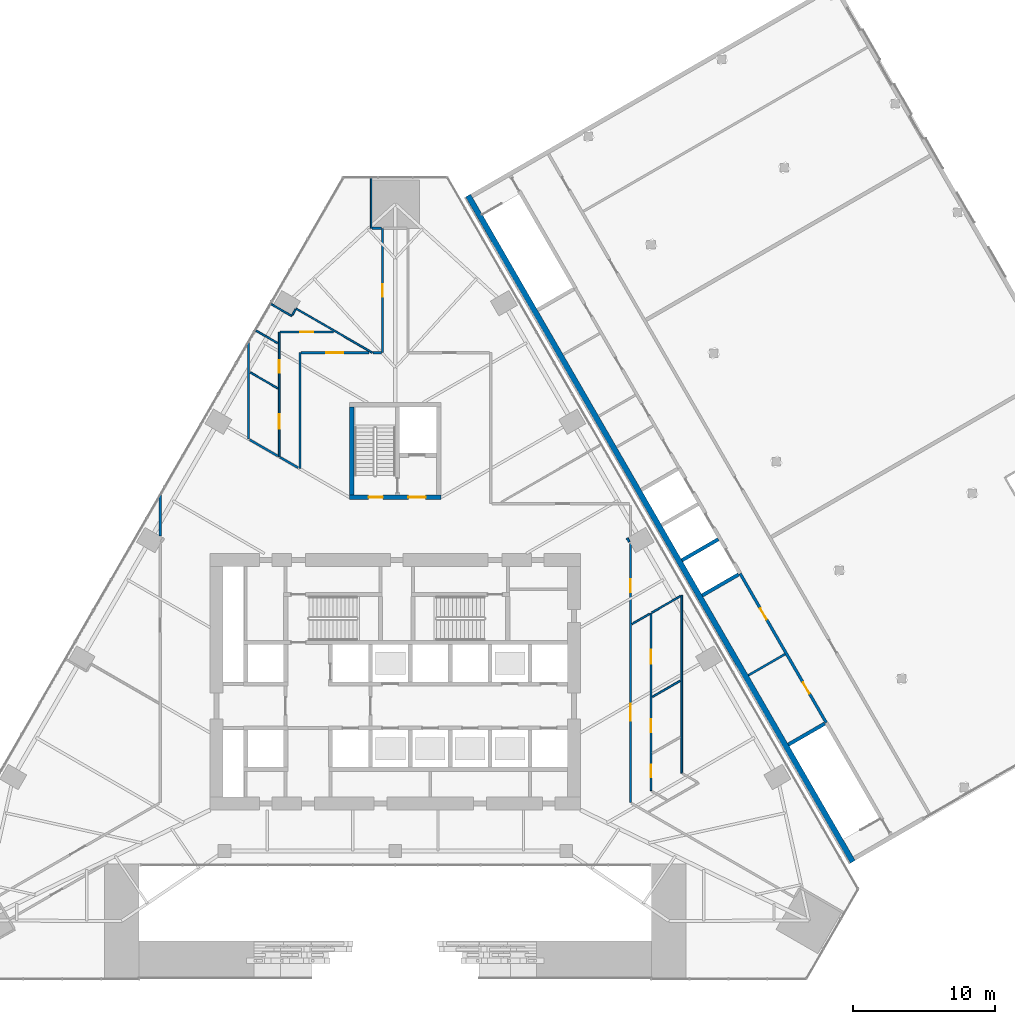
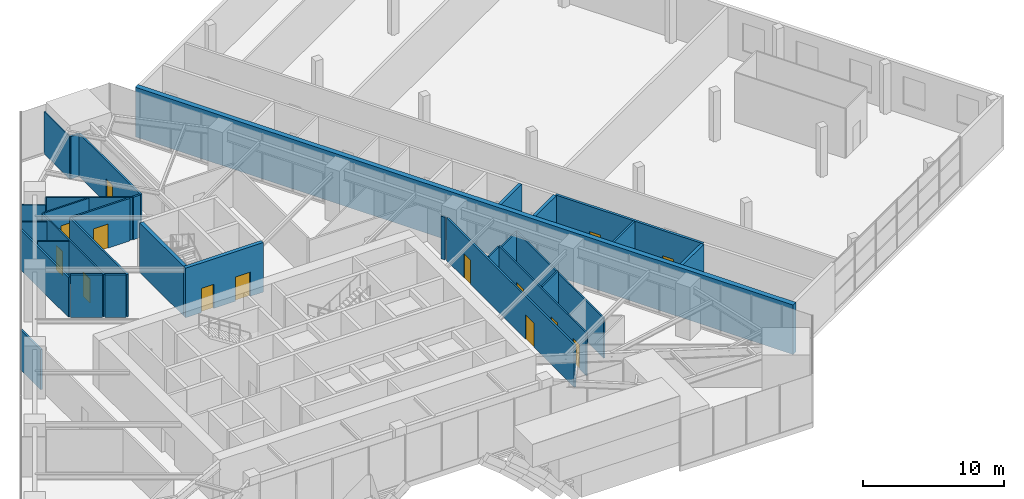
# One storey, part 18 of 23: 32 walls, 14 doors, 14 openings.
"""IFC4 building model written with IfcOpenShell, lengths in metres."""

from ifc_helpers import new_model, si_unit, direction, frame, frame_2d, origin, place, context, subcontext, project, spatial, rectangle, extrude, material, layer, layer_set, type_object, element, fill, save


model = new_model("IFC4")

# Units and contexts
model_context = context("Model", 3, precision=1e-05, world=origin(), true_north=direction((0.0, 1.0)))
body_context = subcontext(model_context, "Body", "Model", "MODEL_VIEW")
ifc_project = project(units=[si_unit("LENGTHUNIT", "METRE"), si_unit("AREAUNIT", "SQUARE_METRE"), si_unit("VOLUMEUNIT", "CUBIC_METRE"), si_unit("PLANEANGLEUNIT", "RADIAN"), si_unit("MASSUNIT", "GRAM", prefix="KILO")], contexts=[model_context])

# Site, building, storey
site_placement = place(None, origin())
site = spatial("IfcSite", under=ifc_project, at=site_placement, CompositionType="ELEMENT")
building_placement = place(site_placement, origin())
building = spatial("IfcBuilding", under=site, at=building_placement, Name="Firuza Gate Tower and Library", CompositionType="ELEMENT")
storey_placement = place(building_placement, frame((0.0, 0.0, 21.800048828125)))
storey = spatial("IfcBuildingStorey", under=building, at=storey_placement, Name="L04", CompositionType="ELEMENT", Elevation=21.800048828125)

# Wall, openings, doors
ifc_material_1 = material(Name="Concrete C80/95", Category="concrete")
ifc_layer_1 = layer(ifc_material_1, 0.300048828125)
ifc_layer_set_1 = layer_set([ifc_layer_1], Name="Core wall 300 C80/95")
wall_type_1 = type_object("IfcWallType", Name="Core wall 300 C80/95", PredefinedType="SHEAR", material=ifc_layer_set_1)
wall_1_placement = place(storey_placement, frame((71.800048828125, 87.949951171875, 0.0), z_axis=(0.0, 0.0, 1.0), x_axis=(1.0, 0.0, 0.0)))
wall_1 = element("IfcWall", 1, at=wall_1_placement, inside=storey, type_object=wall_type_1, Name="Core wall L04 34", PredefinedType="SHEAR", context=body_context, shape_type="SweptSolid", body=[
    extrude(rectangle(XDim=6.39990234375, YDim=0.300048828125, at=frame_2d((3.199951171875, 0.0))), origin(), (0.0, 0.0, 1.0), 4.300048828125),
])
opening_1_placement = place(wall_1_placement, frame((1.324951171875, 0.0, 0.0)))
opening_1 = element("IfcOpeningElement", 2, at=opening_1_placement, cuts=wall_1, Name="Opening L04-K17", PredefinedType="OPENING", context=body_context, shape_type="SweptSolid", body=[
    extrude(rectangle(XDim=1.0, YDim=2.10009765625, at=frame_2d((0.5, 1.050048828125))), frame((0.0, 0.16015625, 0.0), z_axis=(0.0, -1.0, 0.0), x_axis=(1.0, 0.0, 0.0)), (0.0, 0.0, 1.0), 0.320068359375),
])
opening_2_placement = place(wall_1_placement, frame((4.125, 0.0, 0.0)))
opening_2 = element("IfcOpeningElement", 3, at=opening_2_placement, cuts=wall_1, Name="Opening L04-K19", PredefinedType="OPENING", context=body_context, shape_type="SweptSolid", body=[
    extrude(rectangle(XDim=1.199951171875, YDim=2.10009765625, at=frame_2d((0.60009765625, 1.050048828125))), frame((0.0, 0.16015625, 0.0), z_axis=(0.0, -1.0, 0.0), x_axis=(1.0, 0.0, 0.0)), (0.0, 0.0, 1.0), 0.320068359375),
])
ifc_material_2 = material(Name="Steel", Category="steel")
door_type_1 = type_object("IfcDoorType", Name="Fire door 1000x2100 FD90", OperationType="NOTDEFINED", PredefinedType="DOOR", material=ifc_material_2)
door_1_placement = place(opening_1_placement, origin())
door_1 = element("IfcDoor", 4, at=door_1_placement, inside=storey, type_object=door_type_1, Name="Door L04-K17", OperationType="SINGLE_SWING_RIGHT", OverallHeight=2.10009765625, OverallWidth=1.0, PredefinedType="DOOR", context=body_context, shape_type="SweptSolid", body=[
    extrude(rectangle(XDim=1.0, YDim=2.10009765625, at=frame_2d((0.5, 1.050048828125))), frame((0.0, 0.02490234375, 0.0), z_axis=(0.0, -1.0, 0.0), x_axis=(1.0, 0.0, 0.0)), (0.0, 0.0, 1.0), 0.050048828125),
])
fill(opening_1, door_1)
ifc_material_3 = material(Name="Steel", Category="steel")
door_type_2 = type_object("IfcDoorType", Name="Fire door 1200x2100 FD30S", OperationType="NOTDEFINED", PredefinedType="DOOR", material=ifc_material_3)
door_2_placement = place(opening_2_placement, origin())
door_2 = element("IfcDoor", 5, at=door_2_placement, inside=storey, type_object=door_type_2, Name="Door L04-K19", OperationType="SINGLE_SWING_RIGHT", OverallHeight=2.10009765625, OverallWidth=1.199951171875, PredefinedType="DOOR", context=body_context, shape_type="SweptSolid", body=[
    extrude(rectangle(XDim=1.199951171875, YDim=2.10009765625, at=frame_2d((0.60009765625, 1.050048828125))), frame((0.0, 0.02490234375, 0.0), z_axis=(0.0, -1.0, 0.0), x_axis=(1.0, 0.0, 0.0)), (0.0, 0.0, 1.0), 0.050048828125),
])
fill(opening_2, door_2)

# Wall
wall_2_placement = place(storey_placement, frame((71.949951171875, 88.10009765625, 0.0), z_axis=(0.0, 0.0, 1.0), x_axis=(0.0, 1.0, 0.0)))
element("IfcWall", 6, at=wall_2_placement, inside=storey, type_object=wall_type_1, Name="Core wall L04 36", PredefinedType="SHEAR", context=body_context, shape_type="SweptSolid", body=[
    extrude(rectangle(XDim=6.199951171875, YDim=0.300048828125, at=frame_2d((3.10009765625, 0.0))), origin(), (0.0, 0.0, 1.0), 4.300048828125),
])

# Wall, opening, door
ifc_material_4 = material(Name="Gypsum board partition")
ifc_layer_2 = layer(ifc_material_4, 0.14990234375)
ifc_layer_set_2 = layer_set([ifc_layer_2], Name="Corridor wall 150 double board on steel studs")
wall_type_2 = type_object("IfcWallType", Name="Corridor wall 150 double board on steel studs", PredefinedType="PARTITIONING", material=ifc_layer_set_2)
wall_3_placement = place(storey_placement, frame((73.139892578125, 98.10009765625, 0.0), z_axis=(0.0, 0.0, 1.0), x_axis=(-1.0, 0.0, 0.0)))
wall_3 = element("IfcWall", 7, at=wall_3_placement, inside=storey, type_object=wall_type_2, Name="f:L04:w001", PredefinedType="PARTITIONING", context=body_context, shape_type="SweptSolid", body=[
    extrude(rectangle(XDim=4.764892578125, YDim=0.14990234375, at=frame_2d((2.38232421875, 0.0))), origin(), (0.0, 0.0, 1.0), 3.699951171875),
])
opening_3_placement = place(wall_3_placement, frame((1.782470703125, 0.0, 0.0)))
opening_3 = element("IfcOpeningElement", 8, at=opening_3_placement, cuts=wall_3, Name="Opening L04-02", PredefinedType="OPENING", context=body_context, shape_type="SweptSolid", body=[
    extrude(rectangle(XDim=1.199951171875, YDim=2.10009765625, at=frame_2d((0.60009765625, 1.050048828125))), frame((0.0, 0.0849609375, 0.0), z_axis=(0.0, -1.0, 0.0), x_axis=(1.0, 0.0, 0.0)), (0.0, 0.0, 1.0), 0.169921875),
])
ifc_material_5 = material(Name="Steel door and timber leaf", Category="steel")
door_type_3 = type_object("IfcDoorType", Name="Fire door 1200 x 2100 steel frame, double leaf", OperationType="NOTDEFINED", PredefinedType="DOOR", material=ifc_material_5)
door_3_placement = place(opening_3_placement, origin())
door_3 = element("IfcDoor", 9, at=door_3_placement, inside=storey, type_object=door_type_3, Name="f:L04:d002", OperationType="DOUBLE_DOOR_SINGLE_SWING", OverallHeight=2.10009765625, OverallWidth=1.199951171875, PredefinedType="DOOR", context=body_context, shape_type="SweptSolid", body=[
    extrude(rectangle(XDim=1.199951171875, YDim=2.10009765625, at=frame_2d((0.60009765625, 1.050048828125))), frame((0.0, 0.02490234375, 0.0), z_axis=(0.0, -1.0, 0.0), x_axis=(1.0, 0.0, 0.0)), (0.0, 0.0, 1.0), 0.050048828125),
])
fill(opening_3, door_3)

# Wall
wall_4_placement = place(storey_placement, frame((73.3505859375, 106.833984375, 0.0), z_axis=(0.0, 0.0, 1.0), x_axis=(1.0, 0.0, 0.0)))
element("IfcWall", 10, at=wall_4_placement, inside=storey, type_object=wall_type_2, Name="f:L04:w004", PredefinedType="PARTITIONING", context=body_context, shape_type="SweptSolid", body=[
    extrude(rectangle(XDim=0.67431640625, YDim=0.14990234375, at=frame_2d((0.337158203125, 0.0))), origin(), (0.0, 0.0, 1.0), 3.699951171875),
])

# Wall, openings, doors
wall_5_placement = place(storey_placement, frame((91.499755859375, 84.6904296875, 0.0), z_axis=(0.0, 0.0, 1.0), x_axis=(0.0, -1.0, 0.0)))
wall_5 = element("IfcWall", 11, at=wall_5_placement, inside=storey, type_object=wall_type_2, Name="f:L04:w019", PredefinedType="PARTITIONING", context=body_context, shape_type="SweptSolid", body=[
    extrude(rectangle(XDim=18.177490234375, YDim=0.14990234375, at=frame_2d((9.0888671875, 0.0))), origin(), (0.0, 0.0, 1.0), 3.699951171875),
])
opening_4_placement = place(wall_5_placement, frame((2.505126953125, 0.0, 0.0)))
opening_4 = element("IfcOpeningElement", 12, at=opening_4_placement, cuts=wall_5, Name="Opening L04-10", PredefinedType="OPENING", context=body_context, shape_type="SweptSolid", body=[
    extrude(rectangle(XDim=0.89990234375, YDim=2.10009765625, at=frame_2d((0.449951171875, 1.050048828125))), frame((0.0, 0.0849609375, 0.0), z_axis=(0.0, -1.0, 0.0), x_axis=(1.0, 0.0, 0.0)), (0.0, 0.0, 1.0), 0.169921875),
])
opening_5_placement = place(wall_5_placement, frame((11.240234375, 0.0, 0.0)))
opening_5 = element("IfcOpeningElement", 13, at=opening_5_placement, cuts=wall_5, Name="Opening L04-11", PredefinedType="OPENING", context=body_context, shape_type="SweptSolid", body=[
    extrude(rectangle(XDim=1.199951171875, YDim=2.10009765625, at=frame_2d((0.60009765625, 1.050048828125))), frame((0.0, 0.0849609375, 0.0), z_axis=(0.0, -1.0, 0.0), x_axis=(1.0, 0.0, 0.0)), (0.0, 0.0, 1.0), 0.169921875),
])
door_4_placement = place(opening_5_placement, origin())
door_4 = element("IfcDoor", 14, at=door_4_placement, inside=storey, type_object=door_type_3, Name="f:L04:d011", OperationType="DOUBLE_DOOR_SINGLE_SWING", OverallHeight=2.10009765625, OverallWidth=1.199951171875, PredefinedType="DOOR", context=body_context, shape_type="SweptSolid", body=[
    extrude(rectangle(XDim=1.199951171875, YDim=2.10009765625, at=frame_2d((0.60009765625, 1.050048828125))), frame((0.0, 0.02490234375, 0.0), z_axis=(0.0, -1.0, 0.0), x_axis=(1.0, 0.0, 0.0)), (0.0, 0.0, 1.0), 0.050048828125),
])
fill(opening_5, door_4)
ifc_material_6 = material(Name="Steel door and timber leaf", Category="steel")
door_type_4 = type_object("IfcDoorType", Name="Fire door 900 x 2100 steel frame, timber leaf", OperationType="NOTDEFINED", PredefinedType="DOOR", material=ifc_material_6)
door_5_placement = place(opening_4_placement, origin())
door_5 = element("IfcDoor", 15, at=door_5_placement, inside=storey, type_object=door_type_4, Name="f:L04:d010", OperationType="SINGLE_SWING_LEFT", OverallHeight=2.10009765625, OverallWidth=0.89990234375, PredefinedType="DOOR", context=body_context, shape_type="SweptSolid", body=[
    extrude(rectangle(XDim=0.89990234375, YDim=2.10009765625, at=frame_2d((0.449951171875, 1.050048828125))), frame((0.0, 0.02490234375, 0.0), z_axis=(0.0, -1.0, 0.0), x_axis=(1.0, 0.0, 0.0)), (0.0, 0.0, 1.0), 0.050048828125),
])
fill(opening_4, door_5)

# Wall, opening, door
wall_6_placement = place(storey_placement, frame((74.10009765625, 98.10009765625, 0.0), z_axis=(0.0, 0.0, 1.0), x_axis=(0.0, 1.0, 0.0)))
wall_6 = element("IfcWall", 16, at=wall_6_placement, inside=storey, type_object=wall_type_2, Name="f:L04:w023", PredefinedType="PARTITIONING", context=body_context, shape_type="SweptSolid", body=[
    extrude(rectangle(XDim=8.733642578125, YDim=0.14990234375, at=frame_2d((4.36669921875, 0.0))), origin(), (0.0, 0.0, 1.0), 3.699951171875),
])
opening_6_placement = place(wall_6_placement, frame((3.9169921875, 0.0, 0.0)))
opening_6 = element("IfcOpeningElement", 17, at=opening_6_placement, cuts=wall_6, Name="Opening L04-12", PredefinedType="OPENING", context=body_context, shape_type="SweptSolid", body=[
    extrude(rectangle(XDim=0.89990234375, YDim=2.10009765625, at=frame_2d((0.449951171875, 1.050048828125))), frame((0.0, 0.0849609375, 0.0), z_axis=(0.0, -1.0, 0.0), x_axis=(1.0, 0.0, 0.0)), (0.0, 0.0, 1.0), 0.169921875),
])
door_6_placement = place(opening_6_placement, origin())
door_6 = element("IfcDoor", 18, at=door_6_placement, inside=storey, type_object=door_type_4, Name="f:L04:d012", OperationType="SINGLE_SWING_LEFT", OverallHeight=2.10009765625, OverallWidth=0.89990234375, PredefinedType="DOOR", context=body_context, shape_type="SweptSolid", body=[
    extrude(rectangle(XDim=0.89990234375, YDim=2.10009765625, at=frame_2d((0.449951171875, 1.050048828125))), frame((0.0, 0.02490234375, 0.0), z_axis=(0.0, -1.0, 0.0), x_axis=(1.0, 0.0, 0.0)), (0.0, 0.0, 1.0), 0.050048828125),
])
fill(opening_6, door_6)

# Walls
wall_7_placement = place(storey_placement, frame((68.300048828125, 89.953369140625, 0.0), z_axis=(0.0, 0.0, 1.0), x_axis=(0.0, 1.0, 0.0)))
element("IfcWall", 19, at=wall_7_placement, inside=storey, type_object=wall_type_2, Name="f:L04:w025", PredefinedType="PARTITIONING", context=body_context, shape_type="SweptSolid", body=[
    extrude(rectangle(XDim=8.146728515625, YDim=0.14990234375, at=frame_2d((4.0732421875, 0.0))), origin(), (0.0, 0.0, 1.0), 3.699951171875),
])
wall_8_placement = place(storey_placement, frame((64.699951171875, 92.03173828125, 0.0), z_axis=(0.0, 0.0, 1.0), x_axis=(0.0, 1.0, 0.0)))
element("IfcWall", 20, at=wall_8_placement, inside=storey, type_object=wall_type_2, Name="f:L04:w027", PredefinedType="PARTITIONING", context=body_context, shape_type="SweptSolid", body=[
    extrude(rectangle(XDim=6.8173828125, YDim=0.14990234375, at=frame_2d((3.40869140625, 0.0))), origin(), (0.0, 0.0, 1.0), 3.46484375),
])
wall_9_placement = place(storey_placement, frame((58.5, 85.219482421875, 0.0), z_axis=(0.0, 0.0, 1.0), x_axis=(0.0, 1.0, 0.0)))
element("IfcWall", 21, at=wall_9_placement, inside=storey, type_object=wall_type_2, Name="f:L04:w029", PredefinedType="PARTITIONING", context=body_context, shape_type="SweptSolid", body=[
    extrude(rectangle(XDim=2.890869140625, YDim=0.14990234375, at=frame_2d((1.4453125, 0.0))), origin(), (0.0, 0.0, 1.0), 3.46484375),
])
wall_10_placement = place(storey_placement, frame((91.425048828125, 84.8212890625, 0.0), z_axis=(0.0, 0.0, 1.0), x_axis=(-0.500251054866, 0.865880408662, 0.0)))
element("IfcWall", 22, at=wall_10_placement, inside=storey, type_object=wall_type_2, Name="f:L04:w030", PredefinedType="PARTITIONING", context=body_context, shape_type="SweptSolid", body=[
    extrude(rectangle(XDim=0.306396484375, YDim=0.14990234375, at=frame_2d((0.1533203125, 0.0))), origin(), (0.0, 0.0, 1.0), 3.699951171875),
])
wall_11_placement = place(storey_placement, frame((68.181640625, 90.021728515625, 0.0), z_axis=(0.0, 0.0, 1.0), x_axis=(-0.865999496279, 0.500044870432, 0.0)))
element("IfcWall", 23, at=wall_11_placement, inside=storey, type_object=wall_type_2, Name="f:L04:w036", PredefinedType="PARTITIONING", context=body_context, shape_type="SweptSolid", body=[
    extrude(rectangle(XDim=1.485595703125, YDim=0.14990234375, at=frame_2d((0.74267578125, 0.0))), origin(), (0.0, 0.0, 1.0), 3.699951171875),
])
wall_12_placement = place(storey_placement, frame((73.419677734375, 98.10009765625, 0.0), z_axis=(0.0, 0.0, 1.0), x_axis=(1.0, 0.0, 0.0)))
element("IfcWall", 24, at=wall_12_placement, inside=storey, type_object=wall_type_2, Name="f:L04:w043", PredefinedType="PARTITIONING", context=body_context, shape_type="SweptSolid", body=[
    extrude(rectangle(XDim=0.605224609375, YDim=0.14990234375, at=frame_2d((0.302734375, 0.0))), origin(), (0.0, 0.0, 1.0), 3.699951171875),
])
wall_13_placement = place(storey_placement, frame((66.75244140625, 90.846923828125, 0.0), z_axis=(0.0, 0.0, 1.0), x_axis=(-0.866023543838, 0.500003221507, 0.0)))
element("IfcWall", 25, at=wall_13_placement, inside=storey, type_object=wall_type_2, Name="f:L04:w047", PredefinedType="PARTITIONING", context=body_context, shape_type="SweptSolid", body=[
    extrude(rectangle(XDim=2.283203125, YDim=0.14990234375, at=frame_2d((1.1416015625, 0.0))), origin(), (0.0, 0.0, 1.0), 3.699951171875),
])

# Wall, openings, doors
ifc_material_7 = material(Name="Masonry block", Category="masonry")
ifc_layer_3 = layer(ifc_material_7, 0.199951171875)
ifc_layer_set_3 = layer_set([ifc_layer_3], Name="LIB CORRIDOR WALL 200")
wall_type_3 = type_object("IfcWallType", Name="LIB CORRIDOR WALL 200", PredefinedType="PARTITIONING", material=ifc_layer_set_3)
wall_14_placement = place(storey_placement, frame((105.25, 72.124755859375, 0.0), z_axis=(0.0, 0.0, 1.0), x_axis=(-0.499996309931, 0.866027534236, 0.0)))
wall_14 = element("IfcWall", 26, at=wall_14_placement, inside=storey, type_object=wall_type_3, Name="L04 corr wall 6", PredefinedType="PARTITIONING", context=body_context, shape_type="SweptSolid", body=[
    extrude(rectangle(XDim=12.08984375, YDim=0.199951171875, at=frame_2d((6.044921875, 0.0))), origin(), (0.0, 0.0, 1.0), 4.300048828125),
])
opening_7_placement = place(wall_14_placement, frame((2.364990234375, 0.0, 0.0)))
opening_7 = element("IfcOpeningElement", 27, at=opening_7_placement, cuts=wall_14, Name="Opening LIB-D1-001", PredefinedType="OPENING", context=body_context, shape_type="SweptSolid", body=[
    extrude(rectangle(XDim=0.89990234375, YDim=2.10009765625, at=frame_2d((0.449951171875, 1.050048828125))), frame((0.0, 0.10986328125, 0.0), z_axis=(0.0, -1.0, 0.0), x_axis=(1.0, 0.0, 0.0)), (0.0, 0.0, 1.0), 0.219970703125),
])
opening_8_placement = place(wall_14_placement, frame((8.364990234375, 0.0, 0.0)))
opening_8 = element("IfcOpeningElement", 28, at=opening_8_placement, cuts=wall_14, Name="Opening LIB-D1-002", PredefinedType="OPENING", context=body_context, shape_type="SweptSolid", body=[
    extrude(rectangle(XDim=0.89990234375, YDim=2.10009765625, at=frame_2d((0.449951171875, 1.050048828125))), frame((0.0, 0.10986328125, 0.0), z_axis=(0.0, -1.0, 0.0), x_axis=(1.0, 0.0, 0.0)), (0.0, 0.0, 1.0), 0.219970703125),
])
ifc_material_8 = material(Name="Timber door leaf", Category="wood")
door_type_5 = type_object("IfcDoorType", Name="LIB DOOR 900", OperationType="NOTDEFINED", PredefinedType="DOOR", material=ifc_material_8)
door_7_placement = place(opening_7_placement, origin())
door_7 = element("IfcDoor", 29, at=door_7_placement, inside=storey, type_object=door_type_5, Name="L04 door 3", OperationType="SINGLE_SWING_LEFT", OverallHeight=2.10009765625, OverallWidth=0.89990234375, PredefinedType="DOOR", context=body_context, shape_type="SweptSolid", body=[
    extrude(rectangle(XDim=0.89990234375, YDim=2.10009765625, at=frame_2d((0.449951171875, 1.050048828125))), frame((0.0, 0.02490234375, 0.0), z_axis=(0.0, -1.0, 0.0), x_axis=(1.0, 0.0, 0.0)), (0.0, 0.0, 1.0), 0.050048828125),
])
fill(opening_7, door_7)
door_8_placement = place(opening_8_placement, origin())
door_8 = element("IfcDoor", 30, at=door_8_placement, inside=storey, type_object=door_type_5, Name="L04 door 4", OperationType="SINGLE_SWING_RIGHT", OverallHeight=2.10009765625, OverallWidth=0.89990234375, PredefinedType="DOOR", context=body_context, shape_type="SweptSolid", body=[
    extrude(rectangle(XDim=0.89990234375, YDim=2.10009765625, at=frame_2d((0.449951171875, 1.050048828125))), frame((0.0, 0.02490234375, 0.0), z_axis=(0.0, -1.0, 0.0), x_axis=(1.0, 0.0, 0.0)), (0.0, 0.0, 1.0), 0.050048828125),
])
fill(opening_8, door_8)

# Walls
ifc_material_9 = material(Name="Gypsum board on steel studs", Category="steel")
ifc_layer_4 = layer(ifc_material_9, 0.14990234375)
ifc_layer_set_4 = layer_set([ifc_layer_4], Name="LIB PARTITION 150")
wall_type_4 = type_object("IfcWallType", Name="LIB PARTITION 150", PredefinedType="PARTITIONING", material=ifc_layer_set_4)
wall_15_placement = place(storey_placement, frame((99.779296875, 75.449951171875, 0.0), z_axis=(0.0, 0.0, 1.0), x_axis=(0.866017493347, 0.500013701029, 0.0)))
element("IfcWall", 31, at=wall_15_placement, inside=storey, type_object=wall_type_4, Name="L04 part wall 5", PredefinedType="PARTITIONING", context=body_context, shape_type="SweptSolid", body=[
    extrude(rectangle(XDim=2.97509765625, YDim=0.14990234375, at=frame_2d((1.487548828125, 0.0))), origin(), (0.0, 0.0, 1.0), 4.300048828125),
])
ifc_material_10 = material(Name="Concrete C40/50", Category="concrete")
ifc_layer_5 = layer(ifc_material_10, 0.25)
ifc_layer_set_5 = layer_set([ifc_layer_5], Name="LIB SHAFT WALL 250")
wall_type_5 = type_object("IfcWallType", Name="LIB SHAFT WALL 250", PredefinedType="SOLIDWALL", material=ifc_layer_set_5)
for number, where, z_axis, x_axis, name in (
    (32, (102.5869140625, 70.58740234375, 0.0), (0.0, 0.0, 1.0), (0.866039495442, 0.49997559174, 0.0), "L04 shaft wall 1"),
    (33, (96.5419921875, 81.0576171875, 0.0), (0.0, 0.0, 1.0), (0.866039495442, 0.49997559174, 0.0), "L04 shaft wall 8"),
    (34, (95.116943359375, 83.525634765625, 0.0), (0.0, 0.0, 1.0), (0.866003658127, 0.500037662692, 0.0), "L04 shaft wall 9"),
):
    element("IfcWall", number, at=place(storey_placement, frame(where, z_axis=z_axis, x_axis=x_axis)), inside=storey, type_object=wall_type_5, Name=name, PredefinedType="SOLIDWALL", context=body_context, shape_type="SweptSolid", body=[
        extrude(rectangle(XDim=2.949951171875, YDim=0.25, at=frame_2d((1.47509765625, 0.0))), origin(), (0.0, 0.0, 1.0), 4.300048828125),
    ])
ifc_material_11 = material(Name="Concrete C40/50", Category="concrete")
ifc_layer_6 = layer(ifc_material_11, 0.39990234375)
ifc_layer_set_6 = layer_set([ifc_layer_6], Name="LIB WEST WALL 400")
wall_type_6 = type_object("IfcWallType", Name="LIB WEST WALL 400", PredefinedType="SOLIDWALL", material=ifc_layer_set_6)
wall_16_placement = place(storey_placement, frame((107.106201171875, 62.359619140625, 0.0), z_axis=(0.0, 0.0, 1.0), x_axis=(-0.49999992739, 0.866025445706, 0.0)))
element("IfcWall", 35, at=wall_16_placement, inside=storey, type_object=wall_type_6, Name="L04 west bearing wall", PredefinedType="SOLIDWALL", context=body_context, shape_type="SweptSolid", body=[
    extrude(rectangle(XDim=54.0, YDim=0.39990234375, at=frame_2d((27.0, 0.0))), origin(), (0.0, 0.0, 1.0), 4.300048828125),
])
ifc_material_12 = material(Name="Gypsum board partition")
ifc_layer_7 = layer(ifc_material_12, 0.10009765625)
ifc_layer_set_7 = layer_set([ifc_layer_7], Name="Partition 100 gypsum board on steel studs")
wall_type_7 = type_object("IfcWallType", Name="Partition 100 gypsum board on steel studs", PredefinedType="PARTITIONING", material=ifc_layer_set_7)
wall_17_placement = place(storey_placement, frame((73.300048828125, 106.834228515625, 0.0), z_axis=(0.0, 0.0, 1.0), x_axis=(0.0, 1.0, 0.0)))
element("IfcWall", 36, at=wall_17_placement, inside=storey, type_object=wall_type_7, Name="f:L04:w024", PredefinedType="PARTITIONING", context=body_context, shape_type="SweptSolid", body=[
    extrude(rectangle(XDim=3.5595703125, YDim=0.10009765625, at=frame_2d((1.77978515625, 0.0))), origin(), (0.0, 0.0, 1.0), 3.699951171875),
])

# Wall, opening, door
ifc_material_13 = material(Name="Gypsum board partition")
ifc_layer_8 = layer(ifc_material_13, 0.1201171875)
ifc_layer_set_8 = layer_set([ifc_layer_8], Name="Wet-area partition 120 moisture-resistant board")
wall_type_8 = type_object("IfcWallType", Name="Wet-area partition 120 moisture-resistant board", PredefinedType="PARTITIONING", material=ifc_layer_set_8)
wall_18_placement = place(storey_placement, frame((70.648193359375, 99.550048828125, 0.0), z_axis=(0.0, 0.0, 1.0), x_axis=(-1.0, 0.0, 0.0)))
wall_18 = element("IfcWall", 37, at=wall_18_placement, inside=storey, type_object=wall_type_8, Name="f:L04:w003", PredefinedType="PARTITIONING", context=body_context, shape_type="SweptSolid", body=[
    extrude(rectangle(XDim=3.73828125, YDim=0.1201171875, at=frame_2d((1.869140625, 0.0))), origin(), (0.0, 0.0, 1.0), 3.699951171875),
])
opening_9_placement = place(wall_18_placement, frame((1.419189453125, 0.0, 0.0)))
opening_9 = element("IfcOpeningElement", 38, at=opening_9_placement, cuts=wall_18, Name="Opening L04-04", PredefinedType="OPENING", context=body_context, shape_type="SweptSolid", body=[
    extrude(rectangle(XDim=0.89990234375, YDim=2.10009765625, at=frame_2d((0.449951171875, 1.050048828125))), frame((0.0, 0.070068359375, 0.0), z_axis=(0.0, -1.0, 0.0), x_axis=(1.0, 0.0, 0.0)), (0.0, 0.0, 1.0), 0.14013671875),
])
ifc_material_14 = material(Name="Timber door", Category="wood")
door_type_6 = type_object("IfcDoorType", Name="Door 900 x 2100 timber leaf", OperationType="NOTDEFINED", PredefinedType="DOOR", material=ifc_material_14)
door_9_placement = place(opening_9_placement, origin())
door_9 = element("IfcDoor", 39, at=door_9_placement, inside=storey, type_object=door_type_6, Name="f:L04:d004", OperationType="SINGLE_SWING_RIGHT", OverallHeight=2.10009765625, OverallWidth=0.89990234375, PredefinedType="DOOR", context=body_context, shape_type="SweptSolid", body=[
    extrude(rectangle(XDim=0.89990234375, YDim=2.10009765625, at=frame_2d((0.449951171875, 1.050048828125))), frame((0.0, 0.02490234375, 0.0), z_axis=(0.0, -1.0, 0.0), x_axis=(1.0, 0.0, 0.0)), (0.0, 0.0, 1.0), 0.050048828125),
])
fill(opening_9, door_9)

# Walls
wall_19_placement = place(storey_placement, frame((93.044677734375, 73.93701171875, 0.0), z_axis=(0.0, 0.0, 1.0), x_axis=(0.866011396007, 0.500024261398, 0.0)))
element("IfcWall", 40, at=wall_19_placement, inside=storey, type_object=wall_type_8, Name="f:L04:w007", PredefinedType="PARTITIONING", context=body_context, shape_type="SweptSolid", body=[
    extrude(rectangle(XDim=2.26416015625, YDim=0.1201171875, at=frame_2d((1.132080078125, 0.0))), origin(), (0.0, 0.0, 1.0), 3.699951171875),
])
wall_20_placement = place(storey_placement, frame((91.609619140625, 79.047119140625, 0.0), z_axis=(0.0, 0.0, 1.0), x_axis=(0.866039173598, 0.499976149225, 0.0)))
element("IfcWall", 41, at=wall_20_placement, inside=storey, type_object=wall_type_8, Name="f:L04:w008", PredefinedType="PARTITIONING", context=body_context, shape_type="SweptSolid", body=[
    extrude(rectangle(XDim=1.44384765625, YDim=0.1201171875, at=frame_2d((0.721923828125, 0.0))), origin(), (0.0, 0.0, 1.0), 3.699951171875),
])
wall_21_placement = place(storey_placement, frame((67.763671875, 100.736083984375, 0.0), z_axis=(0.0, 0.0, 1.0), x_axis=(0.500217018202, 0.865900072007, 0.0)))
element("IfcWall", 42, at=wall_21_placement, inside=storey, type_object=wall_type_8, Name="f:L04:w016", PredefinedType="PARTITIONING", context=body_context, shape_type="SweptSolid", body=[
    extrude(rectangle(XDim=0.469970703125, YDim=0.1201171875, at=frame_2d((0.23486328125, 0.0))), origin(), (0.0, 0.0, 1.0), 3.699951171875),
])
wall_22_placement = place(storey_placement, frame((95.10009765625, 68.59130859375, 0.0), z_axis=(0.0, 0.0, 1.0), x_axis=(0.0, 1.0, 0.0)))
element("IfcWall", 43, at=wall_22_placement, inside=storey, type_object=wall_type_8, Name="f:L04:w017", PredefinedType="PARTITIONING", context=body_context, shape_type="SweptSolid", body=[
    extrude(rectangle(XDim=12.470947265625, YDim=0.1201171875, at=frame_2d((6.2353515625, 0.0))), origin(), (0.0, 0.0, 1.0), 3.46484375),
])

# Wall, openings, doors
wall_23_placement = place(storey_placement, frame((92.949951171875, 67.35009765625, 0.0), z_axis=(0.0, 0.0, 1.0), x_axis=(0.0, 1.0, 0.0)))
wall_23 = element("IfcWall", 44, at=wall_23_placement, inside=storey, type_object=wall_type_8, Name="f:L04:w018", PredefinedType="PARTITIONING", context=body_context, shape_type="SweptSolid", body=[
    extrude(rectangle(XDim=12.470703125, YDim=0.1201171875, at=frame_2d((6.2353515625, 0.0))), origin(), (0.0, 0.0, 1.0), 3.699951171875),
])
opening_10_placement = place(wall_23_placement, frame((0.9384765625, 0.0, 0.0)))
opening_10 = element("IfcOpeningElement", 45, at=opening_10_placement, cuts=wall_23, Name="Opening L04-07", PredefinedType="OPENING", context=body_context, shape_type="SweptSolid", body=[
    extrude(rectangle(XDim=0.89990234375, YDim=2.10009765625, at=frame_2d((0.449951171875, 1.050048828125))), frame((0.0, 0.070068359375, 0.0), z_axis=(0.0, -1.0, 0.0), x_axis=(1.0, 0.0, 0.0)), (0.0, 0.0, 1.0), 0.14013671875),
])
opening_11_placement = place(wall_23_placement, frame((4.10302734375, 0.0, 0.0)))
opening_11 = element("IfcOpeningElement", 46, at=opening_11_placement, cuts=wall_23, Name="Opening L04-08", PredefinedType="OPENING", context=body_context, shape_type="SweptSolid", body=[
    extrude(rectangle(XDim=0.89990234375, YDim=2.10009765625, at=frame_2d((0.449951171875, 1.050048828125))), frame((0.0, 0.070068359375, 0.0), z_axis=(0.0, -1.0, 0.0), x_axis=(1.0, 0.0, 0.0)), (0.0, 0.0, 1.0), 0.14013671875),
])
opening_12_placement = place(wall_23_placement, frame((8.900146484375, 0.0, 0.0)))
opening_12 = element("IfcOpeningElement", 47, at=opening_12_placement, cuts=wall_23, Name="Opening L04-09", PredefinedType="OPENING", context=body_context, shape_type="SweptSolid", body=[
    extrude(rectangle(XDim=1.0, YDim=2.10009765625, at=frame_2d((0.5, 1.050048828125))), frame((0.0, 0.070068359375, 0.0), z_axis=(0.0, -1.0, 0.0), x_axis=(1.0, 0.0, 0.0)), (0.0, 0.0, 1.0), 0.14013671875),
])
ifc_material_15 = material(Name="Timber door", Category="wood")
door_type_7 = type_object("IfcDoorType", Name="Door 1000 x 2100 timber leaf", OperationType="NOTDEFINED", PredefinedType="DOOR", material=ifc_material_15)
door_10_placement = place(opening_12_placement, origin())
door_10 = element("IfcDoor", 48, at=door_10_placement, inside=storey, type_object=door_type_7, Name="f:L04:d009", OperationType="SINGLE_SWING_RIGHT", OverallHeight=2.10009765625, OverallWidth=1.0, PredefinedType="DOOR", context=body_context, shape_type="SweptSolid", body=[
    extrude(rectangle(XDim=1.0, YDim=2.10009765625, at=frame_2d((0.5, 1.050048828125))), frame((0.0, 0.02490234375, 0.0), z_axis=(0.0, -1.0, 0.0), x_axis=(1.0, 0.0, 0.0)), (0.0, 0.0, 1.0), 0.050048828125),
])
fill(opening_12, door_10)
door_11_placement = place(opening_10_placement, origin())
door_11 = element("IfcDoor", 49, at=door_11_placement, inside=storey, type_object=door_type_6, Name="f:L04:d007", OperationType="SINGLE_SWING_RIGHT", OverallHeight=2.10009765625, OverallWidth=0.89990234375, PredefinedType="DOOR", context=body_context, shape_type="SweptSolid", body=[
    extrude(rectangle(XDim=0.89990234375, YDim=2.10009765625, at=frame_2d((0.449951171875, 1.050048828125))), frame((0.0, 0.02490234375, 0.0), z_axis=(0.0, -1.0, 0.0), x_axis=(1.0, 0.0, 0.0)), (0.0, 0.0, 1.0), 0.050048828125),
])
fill(opening_10, door_11)
door_12_placement = place(opening_11_placement, origin())
door_12 = element("IfcDoor", 50, at=door_12_placement, inside=storey, type_object=door_type_6, Name="f:L04:d008", OperationType="SINGLE_SWING_LEFT", OverallHeight=2.10009765625, OverallWidth=0.89990234375, PredefinedType="DOOR", context=body_context, shape_type="SweptSolid", body=[
    extrude(rectangle(XDim=0.89990234375, YDim=2.10009765625, at=frame_2d((0.449951171875, 1.050048828125))), frame((0.0, 0.02490234375, 0.0), z_axis=(0.0, -1.0, 0.0), x_axis=(1.0, 0.0, 0.0)), (0.0, 0.0, 1.0), 0.050048828125),
])
fill(opening_11, door_12)

wall_24_placement = place(storey_placement, frame((66.85009765625, 99.550048828125, 0.0), z_axis=(0.0, 0.0, 1.0), x_axis=(0.0, -1.0, 0.0)))
wall_24 = element("IfcWall", 51, at=wall_24_placement, inside=storey, type_object=wall_type_8, Name="f:L04:w026", PredefinedType="PARTITIONING", context=body_context, shape_type="SweptSolid", body=[
    extrude(rectangle(XDim=8.759521484375, YDim=0.1201171875, at=frame_2d((4.3798828125, 0.0))), origin(), (0.0, 0.0, 1.0), 3.699951171875),
])
opening_13_placement = place(wall_24_placement, frame((1.974853515625, 0.0, 0.0)))
opening_13 = element("IfcOpeningElement", 52, at=opening_13_placement, cuts=wall_24, Name="Opening L04-13", PredefinedType="OPENING", context=body_context, shape_type="SweptSolid", body=[
    extrude(rectangle(XDim=0.89990234375, YDim=2.10009765625, at=frame_2d((0.449951171875, 1.050048828125))), frame((0.0, 0.070068359375, 0.0), z_axis=(0.0, -1.0, 0.0), x_axis=(1.0, 0.0, 0.0)), (0.0, 0.0, 1.0), 0.14013671875),
])
opening_14_placement = place(wall_24_placement, frame((5.782470703125, 0.0, 0.0)))
opening_14 = element("IfcOpeningElement", 53, at=opening_14_placement, cuts=wall_24, Name="Opening L04-14", PredefinedType="OPENING", context=body_context, shape_type="SweptSolid", body=[
    extrude(rectangle(XDim=1.0, YDim=2.10009765625, at=frame_2d((0.5, 1.050048828125))), frame((0.0, 0.070068359375, 0.0), z_axis=(0.0, -1.0, 0.0), x_axis=(1.0, 0.0, 0.0)), (0.0, 0.0, 1.0), 0.14013671875),
])
door_13_placement = place(opening_14_placement, origin())
door_13 = element("IfcDoor", 54, at=door_13_placement, inside=storey, type_object=door_type_7, Name="f:L04:d014", OperationType="SINGLE_SWING_RIGHT", OverallHeight=2.10009765625, OverallWidth=1.0, PredefinedType="DOOR", context=body_context, shape_type="SweptSolid", body=[
    extrude(rectangle(XDim=1.0, YDim=2.10009765625, at=frame_2d((0.5, 1.050048828125))), frame((0.0, 0.02490234375, 0.0), z_axis=(0.0, -1.0, 0.0), x_axis=(1.0, 0.0, 0.0)), (0.0, 0.0, 1.0), 0.050048828125),
])
fill(opening_14, door_13)
door_14_placement = place(opening_13_placement, origin())
door_14 = element("IfcDoor", 55, at=door_14_placement, inside=storey, type_object=door_type_6, Name="f:L04:d013", OperationType="SINGLE_SWING_LEFT", OverallHeight=2.10009765625, OverallWidth=0.89990234375, PredefinedType="DOOR", context=body_context, shape_type="SweptSolid", body=[
    extrude(rectangle(XDim=0.89990234375, YDim=2.10009765625, at=frame_2d((0.449951171875, 1.050048828125))), frame((0.0, 0.02490234375, 0.0), z_axis=(0.0, -1.0, 0.0), x_axis=(1.0, 0.0, 0.0)), (0.0, 0.0, 1.0), 0.050048828125),
])
fill(opening_13, door_14)

# Walls
wall_25_placement = place(storey_placement, frame((73.3896484375, 98.10009765625, 0.0), z_axis=(0.0, 0.0, 1.0), x_axis=(-0.866023351941, 0.500003553881, 0.0)))
element("IfcWall", 56, at=wall_25_placement, inside=storey, type_object=wall_type_8, Name="f:L04:w032", PredefinedType="PARTITIONING", context=body_context, shape_type="SweptSolid", body=[
    extrude(rectangle(XDim=6.18994140625, YDim=0.1201171875, at=frame_2d((3.094970703125, 0.0))), origin(), (0.0, 0.0, 1.0), 3.699951171875),
])
wall_26_placement = place(storey_placement, frame((67.72900390625, 100.675537109375, 0.0), z_axis=(0.0, 0.0, 1.0), x_axis=(-0.866038183914, 0.499977863513, 0.0)))
element("IfcWall", 57, at=wall_26_placement, inside=storey, type_object=wall_type_8, Name="f:L04:w033", PredefinedType="PARTITIONING", context=body_context, shape_type="SweptSolid", body=[
    extrude(rectangle(XDim=1.7099609375, YDim=0.1201171875, at=frame_2d((0.85498046875, 0.0))), origin(), (0.0, 0.0, 1.0), 3.46484375),
])
wall_27_placement = place(storey_placement, frame((66.75537109375, 98.76318359375, 0.0), z_axis=(0.0, 0.0, 1.0), x_axis=(-0.866067396205, 0.49992725994, 0.0)))
element("IfcWall", 58, at=wall_27_placement, inside=storey, type_object=wall_type_8, Name="f:L04:w034", PredefinedType="PARTITIONING", context=body_context, shape_type="SweptSolid", body=[
    extrude(rectangle(XDim=1.822998046875, YDim=0.1201171875, at=frame_2d((0.91162109375, 0.0))), origin(), (0.0, 0.0, 1.0), 3.46484375),
])
wall_28_placement = place(storey_placement, frame((66.75537109375, 95.595703125, 0.0), z_axis=(0.0, 0.0, 1.0), x_axis=(-0.866001014111, 0.500042241774, 0.0)))
element("IfcWall", 59, at=wall_28_placement, inside=storey, type_object=wall_type_8, Name="f:L04:w035", PredefinedType="PARTITIONING", context=body_context, shape_type="SweptSolid", body=[
    extrude(rectangle(XDim=2.246826171875, YDim=0.1201171875, at=frame_2d((1.12353515625, 0.0))), origin(), (0.0, 0.0, 1.0), 3.699951171875),
])
wall_29_placement = place(storey_placement, frame((92.994873046875, 79.846923828125, 0.0), z_axis=(0.0, 0.0, 1.0), x_axis=(0.866047237151, 0.499962181593, 0.0)))
element("IfcWall", 60, at=wall_29_placement, inside=storey, type_object=wall_type_8, Name="f:L04:w045", PredefinedType="PARTITIONING", context=body_context, shape_type="SweptSolid", body=[
    extrude(rectangle(XDim=2.321533203125, YDim=0.1201171875, at=frame_2d((1.16064453125, 0.0))), origin(), (0.0, 0.0, 1.0), 3.46484375),
])

save(model, "model.ifc")
